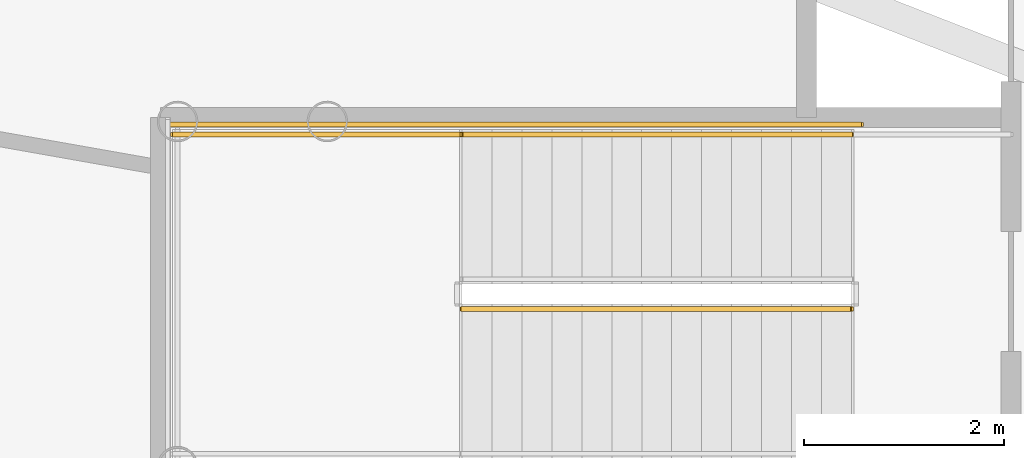
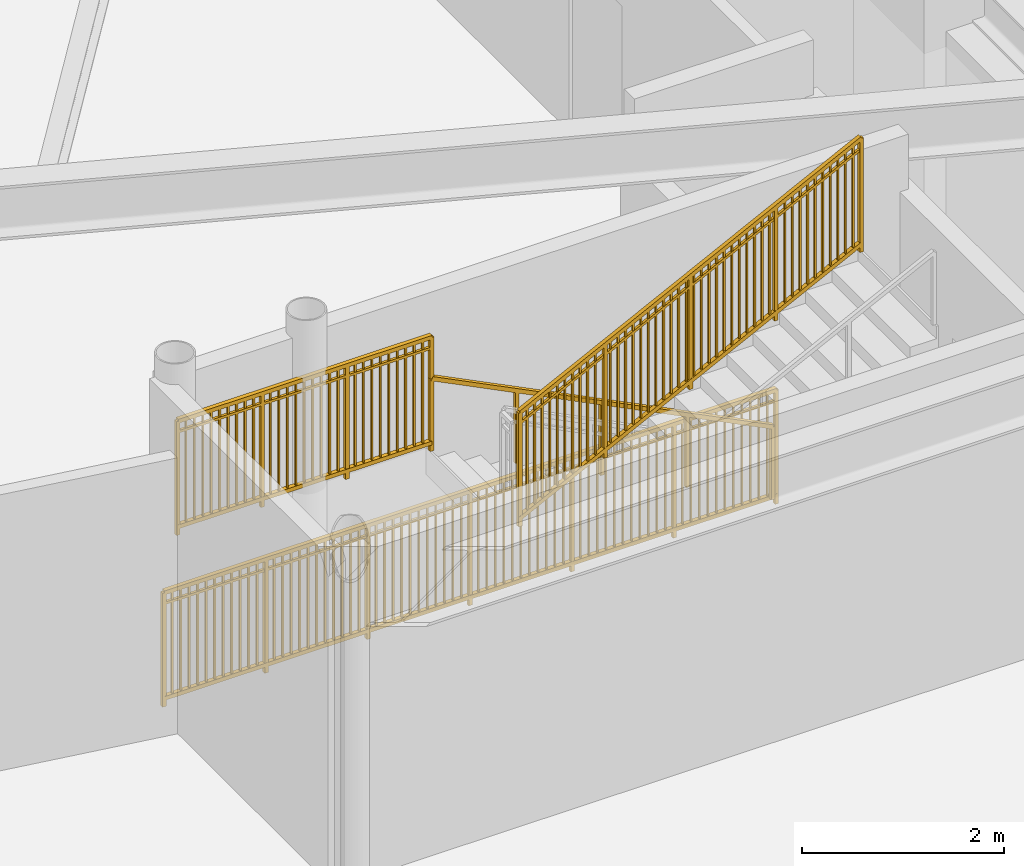
# One storey, part 19 of 28: 4 railings.
"""IFC4 building model written with IfcOpenShell, lengths in metres."""

import ifcopenshell
import ifcopenshell.guid

model = None  # the IFC model being written
_history = None  # IfcOwnerHistory: only IFC2X3 demands one
_inside = {}  # id of a spatial element -> (the spatial element, [elements in it])
_under = {}  # id of a project, library or spatial element -> (it, [spatial elements below it])
_declared = {}  # id of a project -> (the project, [libraries it declares])
_typed = {}  # id of a type object -> (the type object, [elements of that type])
_made_of = {}  # id of a material, layer set ... -> (it, [elements and type objects made of it])


def new_model(schema):
    """Start an empty IFC model of exactly this schema.

    Asked for "IFC4X3", IfcOpenShell would pick the latest addendum, in which some entities
    have other attributes; the version numbers below select the first issue.
    IFC2X3 requires an IfcOwnerHistory on every rooted entity: one is made here for all.
    """
    global model, _history
    if schema == "IFC4X3":
        model = ifcopenshell.file(schema_version=(4, 3, 0, 0))
    else:
        model = ifcopenshell.file(schema=schema)
    _inside.clear()
    _under.clear()
    _declared.clear()
    _typed.clear()
    _made_of.clear()
    _history = None
    if model.schema == "IFC2X3":
        org = make("IfcOrganization", Name="unknown")
        user = make(
            "IfcPersonAndOrganization",
            ThePerson=make("IfcPerson", FamilyName="unknown"),
            TheOrganization=org,
        )
        app = make(
            "IfcApplication",
            ApplicationDeveloper=org,
            Version="unknown",
            ApplicationFullName="unknown",
            ApplicationIdentifier="unknown",
        )
        _history = make(
            "IfcOwnerHistory",
            OwningUser=user,
            OwningApplication=app,
            ChangeAction="ADDED",
            CreationDate=0,
        )
    return model


def make(cls, **values):
    """One entity of the class cls with the attributes given. An attribute that is None is left unset."""
    return model.create_entity(
        cls, **{name: value for name, value in values.items() if value is not None}
    )


def rooted(cls, **values):
    """An entity with a GlobalId (a new one), such as an element, a storey or a relation."""
    return make(cls, GlobalId=ifcopenshell.guid.new(), OwnerHistory=_history, **values)


def si_unit(unit_type, name, prefix=None):
    """IfcSIUnit, for example si_unit("LENGTHUNIT", "METRE", prefix="MILLI")."""
    return make("IfcSIUnit", UnitType=unit_type, Prefix=prefix, Name=name)


def assignment(units):
    """IfcUnitAssignment: the units of a project."""
    return None if units is None else make("IfcUnitAssignment", Units=units)


def point(xyz):
    """IfcCartesianPoint."""
    return None if xyz is None else make("IfcCartesianPoint", Coordinates=xyz)


def direction(xyz):
    """IfcDirection."""
    return None if xyz is None else make("IfcDirection", DirectionRatios=xyz)


def frame(location, z_axis=None, x_axis=None):
    """IfcAxis2Placement3D, a coordinate frame: its origin and axes. An axis left out is left unset."""
    return make(
        "IfcAxis2Placement3D",
        Location=point(location),
        Axis=direction(z_axis),
        RefDirection=direction(x_axis),
    )


def frame_2d(location, x_axis=None):
    """IfcAxis2Placement2D, a coordinate frame in the plane: its origin and x axis."""
    return make(
        "IfcAxis2Placement2D", Location=point(location), RefDirection=direction(x_axis)
    )


def origin():
    """The frame at (0, 0, 0) with its axes left unset."""
    return frame((0.0, 0.0, 0.0))


def origin_2d():
    """The frame at (0, 0) in the plane with its x axis left unset."""
    return frame_2d((0.0, 0.0))


def place(relative_to, where):
    """IfcLocalPlacement: puts the frame where relative to a parent placement (None: the world)."""
    return make(
        "IfcLocalPlacement", PlacementRelTo=relative_to, RelativePlacement=where
    )


def context(
    kind, dimensions, precision=None, world=None, true_north=None, identifier=None
):
    """IfcGeometricRepresentationContext, for example the 3D "Model" context."""
    return make(
        "IfcGeometricRepresentationContext",
        ContextIdentifier=identifier,
        ContextType=kind,
        CoordinateSpaceDimension=dimensions,
        Precision=precision,
        WorldCoordinateSystem=world,
        TrueNorth=true_north,
    )


def subcontext(parent, identifier, kind, view, scale=None):
    """IfcGeometricRepresentationSubContext, for example "Body" below "Model"."""
    return make(
        "IfcGeometricRepresentationSubContext",
        ContextIdentifier=identifier,
        ContextType=kind,
        ParentContext=parent,
        TargetScale=scale,
        TargetView=view,
    )


def project(units=None, contexts=None):
    """IfcProject with its units and contexts."""
    return rooted(
        "IfcProject",
        Name="project",
        RepresentationContexts=contexts,
        UnitsInContext=assignment(units),
    )


def spatial(cls, under=None, at=None, **own):
    """A site, building, storey or space (cls), placed at a placement, below another one or the project."""
    s = rooted(cls, ObjectPlacement=at, **own)
    if under is not None:
        _under.setdefault(under.id(), (under, []))[1].append(s)
    return s


def profile(cls, at=None, kind="AREA", **sizes):
    """A parametric profile (cls). Its sizes go by their IFC names, for example OverallWidth=200.0."""
    return make(cls, ProfileType=kind, Position=at, **sizes)


def rectangle(**sizes):
    """IfcRectangleProfileDef."""
    return profile("IfcRectangleProfileDef", **sizes)


def extrude(swept, where, along, depth):
    """IfcExtrudedAreaSolid: the profile swept, set in the frame where, extruded along a direction by depth."""
    return make(
        "IfcExtrudedAreaSolid",
        SweptArea=swept,
        Position=where,
        ExtrudedDirection=direction(along),
        Depth=depth,
    )


def shape(context_of_items, identifier, shape_type, items):
    """IfcShapeRepresentation: the items that make up one representation, for example the "Body"."""
    return make(
        "IfcShapeRepresentation",
        ContextOfItems=context_of_items,
        RepresentationIdentifier=identifier,
        RepresentationType=shape_type,
        Items=items,
    )


def source(mapping_origin, context_of_items, identifier, shape_type, items):
    """IfcRepresentationMap: a shape defined once, which mapped items show again and again."""
    return make(
        "IfcRepresentationMap",
        MappingOrigin=mapping_origin,
        MappedRepresentation=shape(context_of_items, identifier, shape_type, items),
    )


def transform(
    local_origin,
    x_axis=None,
    y_axis=None,
    z_axis=None,
    scale=None,
    scale2=None,
    scale3=None,
    uniform=True,
):
    """IfcCartesianTransformationOperator3D, or its non-uniform kind. x_axis, y_axis, z_axis: its Axis1, 2, 3."""
    if uniform:
        return make(
            "IfcCartesianTransformationOperator3D",
            Axis1=direction(x_axis),
            Axis2=direction(y_axis),
            LocalOrigin=point(local_origin),
            Scale=scale,
            Axis3=direction(z_axis),
        )
    return make(
        "IfcCartesianTransformationOperator3DnonUniform",
        Axis1=direction(x_axis),
        Axis2=direction(y_axis),
        LocalOrigin=point(local_origin),
        Scale=scale,
        Axis3=direction(z_axis),
        Scale2=scale2,
        Scale3=scale3,
    )


def mapped(mapping_source, mapping_target):
    """IfcMappedItem: shows the shape of a source again, moved by a transform."""
    return make(
        "IfcMappedItem", MappingSource=mapping_source, MappingTarget=mapping_target
    )


def material(Name=None, Category=None):
    """IfcMaterial."""
    return make("IfcMaterial", Name=Name, Category=Category)


def made_of(thing, what):
    """Note that an element or type object is made of a material, layer set ...; save() writes the relation."""
    if what is not None:
        _made_of.setdefault(what.id(), (what, []))[1].append(thing)
    return thing


def type_object(cls, material=None, **own):
    """A type object (cls), such as IfcWallType, which elements share."""
    return made_of(rooted(cls, **own), material)


def element(
    cls,
    number,
    at=None,
    inside=None,
    cuts=None,
    type_object=None,
    material=None,
    context=None,
    identifier="Body",
    shape_type=None,
    held_by="IfcProductDefinitionShape",
    body=None,
    shapes=None,
    **own,
):
    """One element of the class cls, such as IfcWall. Its Tag is "e" and its number.

    at: its placement. inside: the storey or other place that contains it. cuts: it is an
    opening in that element (IfcRelVoidsElement). A single representation is given by context,
    identifier, shape_type and body (its items); several are given by shapes. held_by: the class
    of the entity that holds the representations. save() writes the other relations.
    """
    e = rooted(cls, Tag="e%d" % number, ObjectPlacement=at, **own)
    if body is not None:
        shapes = [shape(context, identifier, shape_type, body)]
    if shapes is not None:
        e.Representation = make(held_by, Representations=shapes)
    if inside is not None:
        _inside.setdefault(inside.id(), (inside, []))[1].append(e)
    if cuts is not None:
        rooted(
            "IfcRelVoidsElement", RelatingBuildingElement=cuts, RelatedOpeningElement=e
        )
    if type_object is not None:
        _typed.setdefault(type_object.id(), (type_object, []))[1].append(e)
    return made_of(e, material)


def aggregate(whole, parts):
    """IfcRelAggregates: a whole, such as a stair, and the parts it consists of."""
    return rooted("IfcRelAggregates", RelatingObject=whole, RelatedObjects=parts)


def save(model, path):
    """Write the relations noted so far, then the file.

    IfcRelAggregates (storeys below a building ...), IfcRelContainedInSpatialStructure (elements
    in a storey), IfcRelDefinesByType, IfcRelAssociatesMaterial and IfcRelDeclares: one each for
    every whole, place, type object, material and project.
    """
    for whole, parts in _under.values():
        aggregate(whole, parts)
    for where, things in _inside.values():
        rooted(
            "IfcRelContainedInSpatialStructure",
            RelatedElements=things,
            RelatingStructure=where,
        )
    for kind, things in _typed.values():
        rooted("IfcRelDefinesByType", RelatedObjects=things, RelatingType=kind)
    for what, things in _made_of.values():
        rooted("IfcRelAssociatesMaterial", RelatedObjects=things, RelatingMaterial=what)
    for by, libraries in _declared.values():
        rooted("IfcRelDeclares", RelatingContext=by, RelatedDefinitions=libraries)
    model.write(path)


model = new_model("IFC4")

# Units and contexts
model_context = context("Model", 3, precision=1e-05, world=origin(), true_north=direction((0.0, 1.0)))
body_context = subcontext(model_context, "Body", "Model", "MODEL_VIEW")
ifc_project = project(units=[si_unit("LENGTHUNIT", "METRE"), si_unit("AREAUNIT", "SQUARE_METRE"), si_unit("VOLUMEUNIT", "CUBIC_METRE"), si_unit("PLANEANGLEUNIT", "RADIAN"), si_unit("MASSUNIT", "GRAM", prefix="KILO")], contexts=[model_context])

# Site, building, storey
site_placement = place(None, origin())
site = spatial("IfcSite", under=ifc_project, at=site_placement, CompositionType="ELEMENT")
building_placement = place(site_placement, origin())
building = spatial("IfcBuilding", under=site, at=building_placement, Name="Linh Dai School and Residence Tower", CompositionType="ELEMENT")
storey_placement = place(building_placement, frame((0.0, 0.0, 36.60009765625)))
storey = spatial("IfcBuildingStorey", under=building, at=storey_placement, Name="L08", CompositionType="ELEMENT", Elevation=36.60009765625)

# Railings
ifc_material_1 = material(Name="Structural Steel S355JR", Category="steel")
railing_type_1 = type_object("IfcRailingType", Name="RL-ST-GUARD-1400", PredefinedType="GUARDRAIL", material=ifc_material_1)
shared_shape_1 = source(origin(), body_context, "Body", "SweptSolid", [
    extrude(rectangle(XDim=0.048095703125, YDim=0.048095703125, at=origin_2d()), frame((0.0, 0.0, 1.3759765625), z_axis=(-1.0, 0.0, 0.0), x_axis=(0.0, -1.0, 0.0)), (0.0, 0.0, 1.0), 2.89990234375),
    extrude(rectangle(XDim=0.048095703125, YDim=0.048095703125, at=origin_2d()), frame((0.0, 0.0, 0.10009765625), z_axis=(-1.0, 0.0, 0.0), x_axis=(0.0, -1.0, 0.0)), (0.0, 0.0, 1.0), 2.89990234375),
    extrude(rectangle(XDim=0.030029296875, YDim=0.030029296875, at=origin_2d()), frame((0.0, 0.0, 1.239990234375), z_axis=(-1.0, 0.0, 0.0), x_axis=(0.0, -1.0, 0.0)), (0.0, 0.0, 1.0), 2.89990234375),
    extrude(rectangle(XDim=0.02001953125, YDim=0.02001953125, at=origin_2d()), frame((-0.0966796875, 0.0, 0.10009765625)), (0.0, 0.0, 1.0), 1.251708984375),
    extrude(rectangle(XDim=0.02001953125, YDim=0.02001953125, at=origin_2d()), frame((-0.193359375, 0.0, 0.10009765625)), (0.0, 0.0, 1.0), 1.251708984375),
    extrude(rectangle(XDim=0.02001953125, YDim=0.02001953125, at=origin_2d()), frame((-0.2900390625, 0.0, 0.10009765625)), (0.0, 0.0, 1.0), 1.251708984375),
    extrude(rectangle(XDim=0.02001953125, YDim=0.02001953125, at=origin_2d()), frame((-0.38671875, 0.0, 0.10009765625)), (0.0, 0.0, 1.0), 1.251708984375),
    extrude(rectangle(XDim=0.02001953125, YDim=0.02001953125, at=origin_2d()), frame((-0.4833984375, 0.0, 0.10009765625)), (0.0, 0.0, 1.0), 1.251708984375),
    extrude(rectangle(XDim=0.02001953125, YDim=0.02001953125, at=origin_2d()), frame((-0.580078125, 0.0, 0.10009765625)), (0.0, 0.0, 1.0), 1.251708984375),
    extrude(rectangle(XDim=0.02001953125, YDim=0.02001953125, at=origin_2d()), frame((-0.6767578125, 0.0, 0.10009765625)), (0.0, 0.0, 1.0), 1.251708984375),
    extrude(rectangle(XDim=0.02001953125, YDim=0.02001953125, at=origin_2d()), frame((-0.773193359375, 0.0, 0.10009765625)), (0.0, 0.0, 1.0), 1.251708984375),
    extrude(rectangle(XDim=0.02001953125, YDim=0.02001953125, at=origin_2d()), frame((-0.869873046875, 0.0, 0.10009765625)), (0.0, 0.0, 1.0), 1.251708984375),
    extrude(rectangle(XDim=0.02001953125, YDim=0.02001953125, at=origin_2d()), frame((-1.063232421875, 0.0, 0.10009765625)), (0.0, 0.0, 1.0), 1.251708984375),
    extrude(rectangle(XDim=0.02001953125, YDim=0.02001953125, at=origin_2d()), frame((-1.159912109375, 0.0, 0.10009765625)), (0.0, 0.0, 1.0), 1.251708984375),
    extrude(rectangle(XDim=0.02001953125, YDim=0.02001953125, at=origin_2d()), frame((-1.256591796875, 0.0, 0.10009765625)), (0.0, 0.0, 1.0), 1.251708984375),
    extrude(rectangle(XDim=0.02001953125, YDim=0.02001953125, at=origin_2d()), frame((-1.353271484375, 0.0, 0.10009765625)), (0.0, 0.0, 1.0), 1.251708984375),
    extrude(rectangle(XDim=0.02001953125, YDim=0.02001953125, at=origin_2d()), frame((-1.449951171875, 0.0, 0.10009765625)), (0.0, 0.0, 1.0), 1.251708984375),
    extrude(rectangle(XDim=0.02001953125, YDim=0.02001953125, at=origin_2d()), frame((-1.546630859375, 0.0, 0.10009765625)), (0.0, 0.0, 1.0), 1.251708984375),
    extrude(rectangle(XDim=0.02001953125, YDim=0.02001953125, at=origin_2d()), frame((-1.643310546875, 0.0, 0.10009765625)), (0.0, 0.0, 1.0), 1.251708984375),
    extrude(rectangle(XDim=0.02001953125, YDim=0.02001953125, at=origin_2d()), frame((-1.739990234375, 0.0, 0.10009765625)), (0.0, 0.0, 1.0), 1.251708984375),
    extrude(rectangle(XDim=0.02001953125, YDim=0.02001953125, at=origin_2d()), frame((-1.836669921875, 0.0, 0.10009765625)), (0.0, 0.0, 1.0), 1.251708984375),
    extrude(rectangle(XDim=0.02001953125, YDim=0.02001953125, at=origin_2d()), frame((-2.030029296875, 0.0, 0.10009765625)), (0.0, 0.0, 1.0), 1.251708984375),
    extrude(rectangle(XDim=0.02001953125, YDim=0.02001953125, at=origin_2d()), frame((-2.126708984375, 0.0, 0.10009765625)), (0.0, 0.0, 1.0), 1.251708984375),
    extrude(rectangle(XDim=0.02001953125, YDim=0.02001953125, at=origin_2d()), frame((-2.22314453125, 0.0, 0.10009765625)), (0.0, 0.0, 1.0), 1.251708984375),
    extrude(rectangle(XDim=0.02001953125, YDim=0.02001953125, at=origin_2d()), frame((-2.31982421875, 0.0, 0.10009765625)), (0.0, 0.0, 1.0), 1.251708984375),
    extrude(rectangle(XDim=0.02001953125, YDim=0.02001953125, at=origin_2d()), frame((-2.41650390625, 0.0, 0.10009765625)), (0.0, 0.0, 1.0), 1.251708984375),
    extrude(rectangle(XDim=0.02001953125, YDim=0.02001953125, at=origin_2d()), frame((-2.51318359375, 0.0, 0.10009765625)), (0.0, 0.0, 1.0), 1.251708984375),
    extrude(rectangle(XDim=0.02001953125, YDim=0.02001953125, at=origin_2d()), frame((-2.60986328125, 0.0, 0.10009765625)), (0.0, 0.0, 1.0), 1.251708984375),
    extrude(rectangle(XDim=0.02001953125, YDim=0.02001953125, at=origin_2d()), frame((-2.70654296875, 0.0, 0.10009765625)), (0.0, 0.0, 1.0), 1.251708984375),
    extrude(rectangle(XDim=0.02001953125, YDim=0.02001953125, at=origin_2d()), frame((-2.80322265625, 0.0, 0.10009765625)), (0.0, 0.0, 1.0), 1.251708984375),
    extrude(rectangle(XDim=0.0419921875, YDim=0.0419921875, at=origin_2d()), origin(), (0.0, 0.0, 1.0), 1.3759765625),
    extrude(rectangle(XDim=0.0419921875, YDim=0.0419921875, at=origin_2d()), frame((-0.966552734375, 0.0, 0.0)), (0.0, 0.0, 1.0), 1.3759765625),
    extrude(rectangle(XDim=0.0419921875, YDim=0.0419921875, at=origin_2d()), frame((-1.933349609375, 0.0, 0.0)), (0.0, 0.0, 1.0), 1.3759765625),
    extrude(rectangle(XDim=0.0419921875, YDim=0.0419921875, at=origin_2d()), frame((-2.89990234375, 0.0, 0.0)), (0.0, 0.0, 1.0), 1.3759765625),
])
railing_1_placement = place(storey_placement, frame((18.5, 30.949951171875, 2.099853515625)))
element("IfcRailing", 1, at=railing_1_placement, inside=storey, type_object=railing_type_1, Name="L08 STS1 stair guard 3", PredefinedType="GUARDRAIL", context=body_context, shape_type="MappedRepresentation", body=[
    mapped(shared_shape_1, transform((0.0, 0.0, 0.0), x_axis=(1.0, 0.0, 0.0), y_axis=(0.0, 1.0, 0.0), z_axis=(0.0, 0.0, 1.0), scale=1.0)),
])
shared_shape_2 = source(origin(), body_context, "Body", "SweptSolid", [
    extrude(rectangle(XDim=0.048095703125, YDim=0.048095703125, at=origin_2d()), frame((0.0, 0.0, 1.3759765625), z_axis=(0.894427191, 0.0, 0.4472135955), x_axis=(0.0, 1.0, 0.0)), (0.0, 0.0, 1.0), 4.360107421875),
    extrude(rectangle(XDim=0.048095703125, YDim=0.048095703125, at=origin_2d()), frame((0.0, 0.0, 0.10009765625), z_axis=(0.894427191, 0.0, 0.4472135955), x_axis=(0.0, 1.0, 0.0)), (0.0, 0.0, 1.0), 4.360107421875),
    extrude(rectangle(XDim=0.030029296875, YDim=0.030029296875, at=origin_2d()), frame((0.0, 0.0, 1.239990234375), z_axis=(0.894427191, 0.0, 0.4472135955), x_axis=(0.0, 1.0, 0.0)), (0.0, 0.0, 1.0), 4.360107421875),
    extrude(rectangle(XDim=0.02001953125, YDim=0.02001953125, at=origin_2d()), frame((0.086669921875, 0.0, 0.143310546875)), (0.0, 0.0, 1.0), 1.251708984375),
    extrude(rectangle(XDim=0.02001953125, YDim=0.02001953125, at=origin_2d()), frame((0.17333984375, 0.0, 0.186767578125)), (0.0, 0.0, 1.0), 1.251708984375),
    extrude(rectangle(XDim=0.02001953125, YDim=0.02001953125, at=origin_2d()), frame((0.260009765625, 0.0, 0.22998046875)), (0.0, 0.0, 1.0), 1.251708984375),
    extrude(rectangle(XDim=0.02001953125, YDim=0.02001953125, at=origin_2d()), frame((0.3466796875, 0.0, 0.2734375)), (0.0, 0.0, 1.0), 1.251708984375),
    extrude(rectangle(XDim=0.02001953125, YDim=0.02001953125, at=origin_2d()), frame((0.433349609375, 0.0, 0.316650390625)), (0.0, 0.0, 1.0), 1.251708984375),
    extrude(rectangle(XDim=0.02001953125, YDim=0.02001953125, at=origin_2d()), frame((0.52001953125, 0.0, 0.360107421875)), (0.0, 0.0, 1.0), 1.251708984375),
    extrude(rectangle(XDim=0.02001953125, YDim=0.02001953125, at=origin_2d()), frame((0.606689453125, 0.0, 0.4033203125)), (0.0, 0.0, 1.0), 1.251708984375),
    extrude(rectangle(XDim=0.02001953125, YDim=0.02001953125, at=origin_2d()), frame((0.693359375, 0.0, 0.44677734375)), (0.0, 0.0, 1.0), 1.251708984375),
    extrude(rectangle(XDim=0.02001953125, YDim=0.02001953125, at=origin_2d()), frame((0.780029296875, 0.0, 0.489990234375)), (0.0, 0.0, 1.0), 1.251708984375),
    extrude(rectangle(XDim=0.02001953125, YDim=0.02001953125, at=origin_2d()), frame((0.86669921875, 0.0, 0.533447265625)), (0.0, 0.0, 1.0), 1.251708984375),
    extrude(rectangle(XDim=0.02001953125, YDim=0.02001953125, at=origin_2d()), frame((1.0400390625, 0.0, 0.6201171875)), (0.0, 0.0, 1.0), 1.251708984375),
    extrude(rectangle(XDim=0.02001953125, YDim=0.02001953125, at=origin_2d()), frame((1.126708984375, 0.0, 0.663330078125)), (0.0, 0.0, 1.0), 1.251708984375),
    extrude(rectangle(XDim=0.02001953125, YDim=0.02001953125, at=origin_2d()), frame((1.21337890625, 0.0, 0.706787109375)), (0.0, 0.0, 1.0), 1.251708984375),
    extrude(rectangle(XDim=0.02001953125, YDim=0.02001953125, at=origin_2d()), frame((1.300048828125, 0.0, 0.75)), (0.0, 0.0, 1.0), 1.251708984375),
    extrude(rectangle(XDim=0.02001953125, YDim=0.02001953125, at=origin_2d()), frame((1.38671875, 0.0, 0.79345703125)), (0.0, 0.0, 1.0), 1.251708984375),
    extrude(rectangle(XDim=0.02001953125, YDim=0.02001953125, at=origin_2d()), frame((1.473388671875, 0.0, 0.836669921875)), (0.0, 0.0, 1.0), 1.251708984375),
    extrude(rectangle(XDim=0.02001953125, YDim=0.02001953125, at=origin_2d()), frame((1.56005859375, 0.0, 0.880126953125)), (0.0, 0.0, 1.0), 1.251708984375),
    extrude(rectangle(XDim=0.02001953125, YDim=0.02001953125, at=origin_2d()), frame((1.646728515625, 0.0, 0.92333984375)), (0.0, 0.0, 1.0), 1.251708984375),
    extrude(rectangle(XDim=0.02001953125, YDim=0.02001953125, at=origin_2d()), frame((1.7333984375, 0.0, 0.966796875)), (0.0, 0.0, 1.0), 1.251708984375),
    extrude(rectangle(XDim=0.02001953125, YDim=0.02001953125, at=origin_2d()), frame((1.820068359375, 0.0, 1.010009765625)), (0.0, 0.0, 1.0), 1.251708984375),
    extrude(rectangle(XDim=0.02001953125, YDim=0.02001953125, at=origin_2d()), frame((1.90673828125, 0.0, 1.053466796875)), (0.0, 0.0, 1.0), 1.251708984375),
    extrude(rectangle(XDim=0.02001953125, YDim=0.02001953125, at=origin_2d()), frame((1.9931640625, 0.0, 1.0966796875)), (0.0, 0.0, 1.0), 1.251708984375),
    extrude(rectangle(XDim=0.02001953125, YDim=0.02001953125, at=origin_2d()), frame((2.079833984375, 0.0, 1.14013671875)), (0.0, 0.0, 1.0), 1.251708984375),
    extrude(rectangle(XDim=0.02001953125, YDim=0.02001953125, at=origin_2d()), frame((2.16650390625, 0.0, 1.183349609375)), (0.0, 0.0, 1.0), 1.251708984375),
    extrude(rectangle(XDim=0.02001953125, YDim=0.02001953125, at=origin_2d()), frame((2.253173828125, 0.0, 1.226806640625)), (0.0, 0.0, 1.0), 1.251708984375),
    extrude(rectangle(XDim=0.02001953125, YDim=0.02001953125, at=origin_2d()), frame((2.33984375, 0.0, 1.27001953125)), (0.0, 0.0, 1.0), 1.251708984375),
    extrude(rectangle(XDim=0.02001953125, YDim=0.02001953125, at=origin_2d()), frame((2.426513671875, 0.0, 1.3134765625)), (0.0, 0.0, 1.0), 1.251708984375),
    extrude(rectangle(XDim=0.02001953125, YDim=0.02001953125, at=origin_2d()), frame((2.51318359375, 0.0, 1.356689453125)), (0.0, 0.0, 1.0), 1.251708984375),
    extrude(rectangle(XDim=0.02001953125, YDim=0.02001953125, at=origin_2d()), frame((2.599853515625, 0.0, 1.400146484375)), (0.0, 0.0, 1.0), 1.251708984375),
    extrude(rectangle(XDim=0.02001953125, YDim=0.02001953125, at=origin_2d()), frame((2.6865234375, 0.0, 1.443359375)), (0.0, 0.0, 1.0), 1.251708984375),
    extrude(rectangle(XDim=0.02001953125, YDim=0.02001953125, at=origin_2d()), frame((2.773193359375, 0.0, 1.48681640625)), (0.0, 0.0, 1.0), 1.251708984375),
    extrude(rectangle(XDim=0.02001953125, YDim=0.02001953125, at=origin_2d()), frame((2.85986328125, 0.0, 1.530029296875)), (0.0, 0.0, 1.0), 1.251708984375),
    extrude(rectangle(XDim=0.02001953125, YDim=0.02001953125, at=origin_2d()), frame((3.033203125, 0.0, 1.61669921875)), (0.0, 0.0, 1.0), 1.251708984375),
    extrude(rectangle(XDim=0.02001953125, YDim=0.02001953125, at=origin_2d()), frame((3.119873046875, 0.0, 1.66015625)), (0.0, 0.0, 1.0), 1.251708984375),
    extrude(rectangle(XDim=0.02001953125, YDim=0.02001953125, at=origin_2d()), frame((3.20654296875, 0.0, 1.703369140625)), (0.0, 0.0, 1.0), 1.251708984375),
    extrude(rectangle(XDim=0.02001953125, YDim=0.02001953125, at=origin_2d()), frame((3.293212890625, 0.0, 1.746826171875)), (0.0, 0.0, 1.0), 1.251708984375),
    extrude(rectangle(XDim=0.02001953125, YDim=0.02001953125, at=origin_2d()), frame((3.3798828125, 0.0, 1.7900390625)), (0.0, 0.0, 1.0), 1.251708984375),
    extrude(rectangle(XDim=0.02001953125, YDim=0.02001953125, at=origin_2d()), frame((3.466552734375, 0.0, 1.83349609375)), (0.0, 0.0, 1.0), 1.251708984375),
    extrude(rectangle(XDim=0.02001953125, YDim=0.02001953125, at=origin_2d()), frame((3.55322265625, 0.0, 1.876708984375)), (0.0, 0.0, 1.0), 1.251708984375),
    extrude(rectangle(XDim=0.02001953125, YDim=0.02001953125, at=origin_2d()), frame((3.639892578125, 0.0, 1.920166015625)), (0.0, 0.0, 1.0), 1.251708984375),
    extrude(rectangle(XDim=0.02001953125, YDim=0.02001953125, at=origin_2d()), frame((3.7265625, 0.0, 1.96337890625)), (0.0, 0.0, 1.0), 1.251708984375),
    extrude(rectangle(XDim=0.02001953125, YDim=0.02001953125, at=origin_2d()), frame((3.813232421875, 0.0, 2.0068359375)), (0.0, 0.0, 1.0), 1.251708984375),
    extrude(rectangle(XDim=0.0419921875, YDim=0.0419921875, at=origin_2d()), origin(), (0.0, 0.0, 1.0), 1.3759765625),
    extrude(rectangle(XDim=0.0419921875, YDim=0.0419921875, at=origin_2d()), frame((0.97509765625, 0.0, 0.487548828125)), (0.0, 0.0, 1.0), 1.3759765625),
    extrude(rectangle(XDim=0.0419921875, YDim=0.0419921875, at=origin_2d()), frame((1.949951171875, 0.0, 0.97509765625)), (0.0, 0.0, 1.0), 1.3759765625),
    extrude(rectangle(XDim=0.0419921875, YDim=0.0419921875, at=origin_2d()), frame((2.9248046875, 0.0, 1.46240234375)), (0.0, 0.0, 1.0), 1.3759765625),
    extrude(rectangle(XDim=0.0419921875, YDim=0.0419921875, at=origin_2d()), frame((3.89990234375, 0.0, 1.949951171875)), (0.0, 0.0, 1.0), 1.3759765625),
])
railing_2_placement = place(storey_placement, frame((18.5, 29.199951171875, 2.25)))
element("IfcRailing", 2, at=railing_2_placement, inside=storey, type_object=railing_type_1, Name="L08 STS1 stair guard 6", PredefinedType="GUARDRAIL", context=body_context, shape_type="MappedRepresentation", body=[
    mapped(shared_shape_2, transform((0.0, 0.0, 0.0), x_axis=(1.0, 0.0, 0.0), y_axis=(0.0, 1.0, 0.0), z_axis=(0.0, 0.0, 1.0), scale=1.0)),
])
shared_shape_3 = source(origin(), body_context, "Body", "SweptSolid", [
    extrude(rectangle(XDim=0.048095703125, YDim=0.048095703125, at=origin_2d()), frame((0.0, 0.0, 1.3759765625), z_axis=(-1.0, 0.0, 0.0), x_axis=(0.0, -1.0, 0.0)), (0.0, 0.0, 1.0), 7.0),
    extrude(rectangle(XDim=0.048095703125, YDim=0.048095703125, at=origin_2d()), frame((0.0, 0.0, 0.10009765625), z_axis=(-1.0, 0.0, 0.0), x_axis=(0.0, -1.0, 0.0)), (0.0, 0.0, 1.0), 7.0),
    extrude(rectangle(XDim=0.030029296875, YDim=0.030029296875, at=origin_2d()), frame((0.0, 0.0, 1.239990234375), z_axis=(-1.0, 0.0, 0.0), x_axis=(0.0, -1.0, 0.0)), (0.0, 0.0, 1.0), 7.0),
    extrude(rectangle(XDim=0.02001953125, YDim=0.02001953125, at=origin_2d()), frame((-0.09716796875, 0.0, 0.10009765625)), (0.0, 0.0, 1.0), 1.251708984375),
    extrude(rectangle(XDim=0.02001953125, YDim=0.02001953125, at=origin_2d()), frame((-0.1943359375, 0.0, 0.10009765625)), (0.0, 0.0, 1.0), 1.251708984375),
    extrude(rectangle(XDim=0.02001953125, YDim=0.02001953125, at=origin_2d()), frame((-0.291748046875, 0.0, 0.10009765625)), (0.0, 0.0, 1.0), 1.251708984375),
    extrude(rectangle(XDim=0.02001953125, YDim=0.02001953125, at=origin_2d()), frame((-0.388916015625, 0.0, 0.10009765625)), (0.0, 0.0, 1.0), 1.251708984375),
    extrude(rectangle(XDim=0.02001953125, YDim=0.02001953125, at=origin_2d()), frame((-0.486083984375, 0.0, 0.10009765625)), (0.0, 0.0, 1.0), 1.251708984375),
    extrude(rectangle(XDim=0.02001953125, YDim=0.02001953125, at=origin_2d()), frame((-0.583251953125, 0.0, 0.10009765625)), (0.0, 0.0, 1.0), 1.251708984375),
    extrude(rectangle(XDim=0.02001953125, YDim=0.02001953125, at=origin_2d()), frame((-0.6806640625, 0.0, 0.10009765625)), (0.0, 0.0, 1.0), 1.251708984375),
    extrude(rectangle(XDim=0.02001953125, YDim=0.02001953125, at=origin_2d()), frame((-0.77783203125, 0.0, 0.10009765625)), (0.0, 0.0, 1.0), 1.251708984375),
    extrude(rectangle(XDim=0.02001953125, YDim=0.02001953125, at=origin_2d()), frame((-0.875, 0.0, 0.10009765625)), (0.0, 0.0, 1.0), 1.251708984375),
    extrude(rectangle(XDim=0.02001953125, YDim=0.02001953125, at=origin_2d()), frame((-0.97216796875, 0.0, 0.10009765625)), (0.0, 0.0, 1.0), 1.251708984375),
    extrude(rectangle(XDim=0.02001953125, YDim=0.02001953125, at=origin_2d()), frame((-1.0693359375, 0.0, 0.10009765625)), (0.0, 0.0, 1.0), 1.251708984375),
    extrude(rectangle(XDim=0.02001953125, YDim=0.02001953125, at=origin_2d()), frame((-1.263916015625, 0.0, 0.10009765625)), (0.0, 0.0, 1.0), 1.251708984375),
    extrude(rectangle(XDim=0.02001953125, YDim=0.02001953125, at=origin_2d()), frame((-1.361083984375, 0.0, 0.10009765625)), (0.0, 0.0, 1.0), 1.251708984375),
    extrude(rectangle(XDim=0.02001953125, YDim=0.02001953125, at=origin_2d()), frame((-1.458251953125, 0.0, 0.10009765625)), (0.0, 0.0, 1.0), 1.251708984375),
    extrude(rectangle(XDim=0.02001953125, YDim=0.02001953125, at=origin_2d()), frame((-1.5556640625, 0.0, 0.10009765625)), (0.0, 0.0, 1.0), 1.251708984375),
    extrude(rectangle(XDim=0.02001953125, YDim=0.02001953125, at=origin_2d()), frame((-1.65283203125, 0.0, 0.10009765625)), (0.0, 0.0, 1.0), 1.251708984375),
    extrude(rectangle(XDim=0.02001953125, YDim=0.02001953125, at=origin_2d()), frame((-1.75, 0.0, 0.10009765625)), (0.0, 0.0, 1.0), 1.251708984375),
    extrude(rectangle(XDim=0.02001953125, YDim=0.02001953125, at=origin_2d()), frame((-1.84716796875, 0.0, 0.10009765625)), (0.0, 0.0, 1.0), 1.251708984375),
    extrude(rectangle(XDim=0.02001953125, YDim=0.02001953125, at=origin_2d()), frame((-1.9443359375, 0.0, 0.10009765625)), (0.0, 0.0, 1.0), 1.251708984375),
    extrude(rectangle(XDim=0.02001953125, YDim=0.02001953125, at=origin_2d()), frame((-2.041748046875, 0.0, 0.10009765625)), (0.0, 0.0, 1.0), 1.251708984375),
    extrude(rectangle(XDim=0.02001953125, YDim=0.02001953125, at=origin_2d()), frame((-2.138916015625, 0.0, 0.10009765625)), (0.0, 0.0, 1.0), 1.251708984375),
    extrude(rectangle(XDim=0.02001953125, YDim=0.02001953125, at=origin_2d()), frame((-2.236083984375, 0.0, 0.10009765625)), (0.0, 0.0, 1.0), 1.251708984375),
    extrude(rectangle(XDim=0.02001953125, YDim=0.02001953125, at=origin_2d()), frame((-2.4306640625, 0.0, 0.10009765625)), (0.0, 0.0, 1.0), 1.251708984375),
    extrude(rectangle(XDim=0.02001953125, YDim=0.02001953125, at=origin_2d()), frame((-2.52783203125, 0.0, 0.10009765625)), (0.0, 0.0, 1.0), 1.251708984375),
    extrude(rectangle(XDim=0.02001953125, YDim=0.02001953125, at=origin_2d()), frame((-2.625, 0.0, 0.10009765625)), (0.0, 0.0, 1.0), 1.251708984375),
    extrude(rectangle(XDim=0.02001953125, YDim=0.02001953125, at=origin_2d()), frame((-2.72216796875, 0.0, 0.10009765625)), (0.0, 0.0, 1.0), 1.251708984375),
    extrude(rectangle(XDim=0.02001953125, YDim=0.02001953125, at=origin_2d()), frame((-2.8193359375, 0.0, 0.10009765625)), (0.0, 0.0, 1.0), 1.251708984375),
    extrude(rectangle(XDim=0.02001953125, YDim=0.02001953125, at=origin_2d()), frame((-2.916748046875, 0.0, 0.10009765625)), (0.0, 0.0, 1.0), 1.251708984375),
    extrude(rectangle(XDim=0.02001953125, YDim=0.02001953125, at=origin_2d()), frame((-3.013916015625, 0.0, 0.10009765625)), (0.0, 0.0, 1.0), 1.251708984375),
    extrude(rectangle(XDim=0.02001953125, YDim=0.02001953125, at=origin_2d()), frame((-3.111083984375, 0.0, 0.10009765625)), (0.0, 0.0, 1.0), 1.251708984375),
    extrude(rectangle(XDim=0.02001953125, YDim=0.02001953125, at=origin_2d()), frame((-3.208251953125, 0.0, 0.10009765625)), (0.0, 0.0, 1.0), 1.251708984375),
    extrude(rectangle(XDim=0.02001953125, YDim=0.02001953125, at=origin_2d()), frame((-3.3056640625, 0.0, 0.10009765625)), (0.0, 0.0, 1.0), 1.251708984375),
    extrude(rectangle(XDim=0.02001953125, YDim=0.02001953125, at=origin_2d()), frame((-3.40283203125, 0.0, 0.10009765625)), (0.0, 0.0, 1.0), 1.251708984375),
    extrude(rectangle(XDim=0.02001953125, YDim=0.02001953125, at=origin_2d()), frame((-3.59716796875, 0.0, 0.10009765625)), (0.0, 0.0, 1.0), 1.251708984375),
    extrude(rectangle(XDim=0.02001953125, YDim=0.02001953125, at=origin_2d()), frame((-3.6943359375, 0.0, 0.10009765625)), (0.0, 0.0, 1.0), 1.251708984375),
    extrude(rectangle(XDim=0.02001953125, YDim=0.02001953125, at=origin_2d()), frame((-3.791748046875, 0.0, 0.10009765625)), (0.0, 0.0, 1.0), 1.251708984375),
    extrude(rectangle(XDim=0.02001953125, YDim=0.02001953125, at=origin_2d()), frame((-3.888916015625, 0.0, 0.10009765625)), (0.0, 0.0, 1.0), 1.251708984375),
    extrude(rectangle(XDim=0.02001953125, YDim=0.02001953125, at=origin_2d()), frame((-3.986083984375, 0.0, 0.10009765625)), (0.0, 0.0, 1.0), 1.251708984375),
    extrude(rectangle(XDim=0.02001953125, YDim=0.02001953125, at=origin_2d()), frame((-4.083251953125, 0.0, 0.10009765625)), (0.0, 0.0, 1.0), 1.251708984375),
    extrude(rectangle(XDim=0.02001953125, YDim=0.02001953125, at=origin_2d()), frame((-4.1806640625, 0.0, 0.10009765625)), (0.0, 0.0, 1.0), 1.251708984375),
    extrude(rectangle(XDim=0.02001953125, YDim=0.02001953125, at=origin_2d()), frame((-4.27783203125, 0.0, 0.10009765625)), (0.0, 0.0, 1.0), 1.251708984375),
    extrude(rectangle(XDim=0.02001953125, YDim=0.02001953125, at=origin_2d()), frame((-4.375, 0.0, 0.10009765625)), (0.0, 0.0, 1.0), 1.251708984375),
    extrude(rectangle(XDim=0.02001953125, YDim=0.02001953125, at=origin_2d()), frame((-4.47216796875, 0.0, 0.10009765625)), (0.0, 0.0, 1.0), 1.251708984375),
    extrude(rectangle(XDim=0.02001953125, YDim=0.02001953125, at=origin_2d()), frame((-4.5693359375, 0.0, 0.10009765625)), (0.0, 0.0, 1.0), 1.251708984375),
    extrude(rectangle(XDim=0.02001953125, YDim=0.02001953125, at=origin_2d()), frame((-4.763916015625, 0.0, 0.10009765625)), (0.0, 0.0, 1.0), 1.251708984375),
    extrude(rectangle(XDim=0.02001953125, YDim=0.02001953125, at=origin_2d()), frame((-4.861083984375, 0.0, 0.10009765625)), (0.0, 0.0, 1.0), 1.251708984375),
    extrude(rectangle(XDim=0.02001953125, YDim=0.02001953125, at=origin_2d()), frame((-4.958251953125, 0.0, 0.10009765625)), (0.0, 0.0, 1.0), 1.251708984375),
    extrude(rectangle(XDim=0.02001953125, YDim=0.02001953125, at=origin_2d()), frame((-5.0556640625, 0.0, 0.10009765625)), (0.0, 0.0, 1.0), 1.251708984375),
    extrude(rectangle(XDim=0.02001953125, YDim=0.02001953125, at=origin_2d()), frame((-5.15283203125, 0.0, 0.10009765625)), (0.0, 0.0, 1.0), 1.251708984375),
    extrude(rectangle(XDim=0.02001953125, YDim=0.02001953125, at=origin_2d()), frame((-5.25, 0.0, 0.10009765625)), (0.0, 0.0, 1.0), 1.251708984375),
    extrude(rectangle(XDim=0.02001953125, YDim=0.02001953125, at=origin_2d()), frame((-5.34716796875, 0.0, 0.10009765625)), (0.0, 0.0, 1.0), 1.251708984375),
    extrude(rectangle(XDim=0.02001953125, YDim=0.02001953125, at=origin_2d()), frame((-5.4443359375, 0.0, 0.10009765625)), (0.0, 0.0, 1.0), 1.251708984375),
    extrude(rectangle(XDim=0.02001953125, YDim=0.02001953125, at=origin_2d()), frame((-5.541748046875, 0.0, 0.10009765625)), (0.0, 0.0, 1.0), 1.251708984375),
    extrude(rectangle(XDim=0.02001953125, YDim=0.02001953125, at=origin_2d()), frame((-5.638916015625, 0.0, 0.10009765625)), (0.0, 0.0, 1.0), 1.251708984375),
    extrude(rectangle(XDim=0.02001953125, YDim=0.02001953125, at=origin_2d()), frame((-5.736083984375, 0.0, 0.10009765625)), (0.0, 0.0, 1.0), 1.251708984375),
    extrude(rectangle(XDim=0.02001953125, YDim=0.02001953125, at=origin_2d()), frame((-5.9306640625, 0.0, 0.10009765625)), (0.0, 0.0, 1.0), 1.251708984375),
    extrude(rectangle(XDim=0.02001953125, YDim=0.02001953125, at=origin_2d()), frame((-6.02783203125, 0.0, 0.10009765625)), (0.0, 0.0, 1.0), 1.251708984375),
    extrude(rectangle(XDim=0.02001953125, YDim=0.02001953125, at=origin_2d()), frame((-6.125, 0.0, 0.10009765625)), (0.0, 0.0, 1.0), 1.251708984375),
    extrude(rectangle(XDim=0.02001953125, YDim=0.02001953125, at=origin_2d()), frame((-6.22216796875, 0.0, 0.10009765625)), (0.0, 0.0, 1.0), 1.251708984375),
    extrude(rectangle(XDim=0.02001953125, YDim=0.02001953125, at=origin_2d()), frame((-6.3193359375, 0.0, 0.10009765625)), (0.0, 0.0, 1.0), 1.251708984375),
    extrude(rectangle(XDim=0.02001953125, YDim=0.02001953125, at=origin_2d()), frame((-6.416748046875, 0.0, 0.10009765625)), (0.0, 0.0, 1.0), 1.251708984375),
    extrude(rectangle(XDim=0.02001953125, YDim=0.02001953125, at=origin_2d()), frame((-6.513916015625, 0.0, 0.10009765625)), (0.0, 0.0, 1.0), 1.251708984375),
    extrude(rectangle(XDim=0.02001953125, YDim=0.02001953125, at=origin_2d()), frame((-6.611083984375, 0.0, 0.10009765625)), (0.0, 0.0, 1.0), 1.251708984375),
    extrude(rectangle(XDim=0.02001953125, YDim=0.02001953125, at=origin_2d()), frame((-6.708251953125, 0.0, 0.10009765625)), (0.0, 0.0, 1.0), 1.251708984375),
    extrude(rectangle(XDim=0.02001953125, YDim=0.02001953125, at=origin_2d()), frame((-6.8056640625, 0.0, 0.10009765625)), (0.0, 0.0, 1.0), 1.251708984375),
    extrude(rectangle(XDim=0.02001953125, YDim=0.02001953125, at=origin_2d()), frame((-6.90283203125, 0.0, 0.10009765625)), (0.0, 0.0, 1.0), 1.251708984375),
    extrude(rectangle(XDim=0.0419921875, YDim=0.0419921875, at=origin_2d()), origin(), (0.0, 0.0, 1.0), 1.3759765625),
    extrude(rectangle(XDim=0.0419921875, YDim=0.0419921875, at=origin_2d()), frame((-1.166748046875, 0.0, 0.0)), (0.0, 0.0, 1.0), 1.3759765625),
    extrude(rectangle(XDim=0.0419921875, YDim=0.0419921875, at=origin_2d()), frame((-2.333251953125, 0.0, 0.0)), (0.0, 0.0, 1.0), 1.3759765625),
    extrude(rectangle(XDim=0.0419921875, YDim=0.0419921875, at=origin_2d()), frame((-3.5, 0.0, 0.0)), (0.0, 0.0, 1.0), 1.3759765625),
    extrude(rectangle(XDim=0.0419921875, YDim=0.0419921875, at=origin_2d()), frame((-4.666748046875, 0.0, 0.0)), (0.0, 0.0, 1.0), 1.3759765625),
    extrude(rectangle(XDim=0.0419921875, YDim=0.0419921875, at=origin_2d()), frame((-5.833251953125, 0.0, 0.0)), (0.0, 0.0, 1.0), 1.3759765625),
    extrude(rectangle(XDim=0.0419921875, YDim=0.0419921875, at=origin_2d()), frame((-7.0, 0.0, 0.0)), (0.0, 0.0, 1.0), 1.3759765625),
])
railing_3_placement = place(storey_placement, frame((22.5, 31.050048828125, 0.0)))
element("IfcRailing", 3, at=railing_3_placement, inside=storey, type_object=railing_type_1, Name="L08 STS1 stair guard 10", PredefinedType="GUARDRAIL", context=body_context, shape_type="MappedRepresentation", body=[
    mapped(shared_shape_3, transform((0.0, 0.0, 0.0), x_axis=(1.0, 0.0, 0.0), y_axis=(0.0, 1.0, 0.0), z_axis=(0.0, 0.0, 1.0), scale=1.0)),
])
ifc_material_2 = material(Name="Brushed Stainless Steel Handrail", Category="steel")
railing_type_2 = type_object("IfcRailingType", Name="RL-ST-HANDRAIL-900", PredefinedType="HANDRAIL", material=ifc_material_2)
shared_shape_4 = source(origin(), body_context, "Body", "SweptSolid", [
    extrude(rectangle(XDim=0.048095703125, YDim=0.048095703125, at=origin_2d()), frame((0.0, 0.0, 0.8759765625), z_axis=(-0.894427191, 0.0, 0.4472135955), x_axis=(0.0, -1.0, 0.0)), (0.0, 0.0, 1.0), 4.360107421875),
    extrude(rectangle(XDim=0.0419921875, YDim=0.0419921875, at=origin_2d()), origin(), (0.0, 0.0, 1.0), 0.8759765625),
    extrude(rectangle(XDim=0.0419921875, YDim=0.0419921875, at=origin_2d()), frame((-0.97509765625, 0.0, 0.487548828125)), (0.0, 0.0, 1.0), 0.8759765625),
    extrude(rectangle(XDim=0.0419921875, YDim=0.0419921875, at=origin_2d()), frame((-1.949951171875, 0.0, 0.97509765625)), (0.0, 0.0, 1.0), 0.8759765625),
    extrude(rectangle(XDim=0.0419921875, YDim=0.0419921875, at=origin_2d()), frame((-2.9248046875, 0.0, 1.46240234375)), (0.0, 0.0, 1.0), 0.8759765625),
    extrude(rectangle(XDim=0.0419921875, YDim=0.0419921875, at=origin_2d()), frame((-3.89990234375, 0.0, 1.949951171875)), (0.0, 0.0, 1.0), 0.8759765625),
])
railing_4_placement = place(storey_placement, frame((22.39990234375, 30.949951171875, 0.14990234375)))
element("IfcRailing", 4, at=railing_4_placement, inside=storey, type_object=railing_type_2, Name="L08 STS1 stair handrail 1", PredefinedType="HANDRAIL", context=body_context, shape_type="MappedRepresentation", body=[
    mapped(shared_shape_4, transform((0.0, 0.0, 0.0), x_axis=(1.0, 0.0, 0.0), y_axis=(0.0, 1.0, 0.0), z_axis=(0.0, 0.0, 1.0), scale=1.0)),
])

save(model, "model.ifc")
